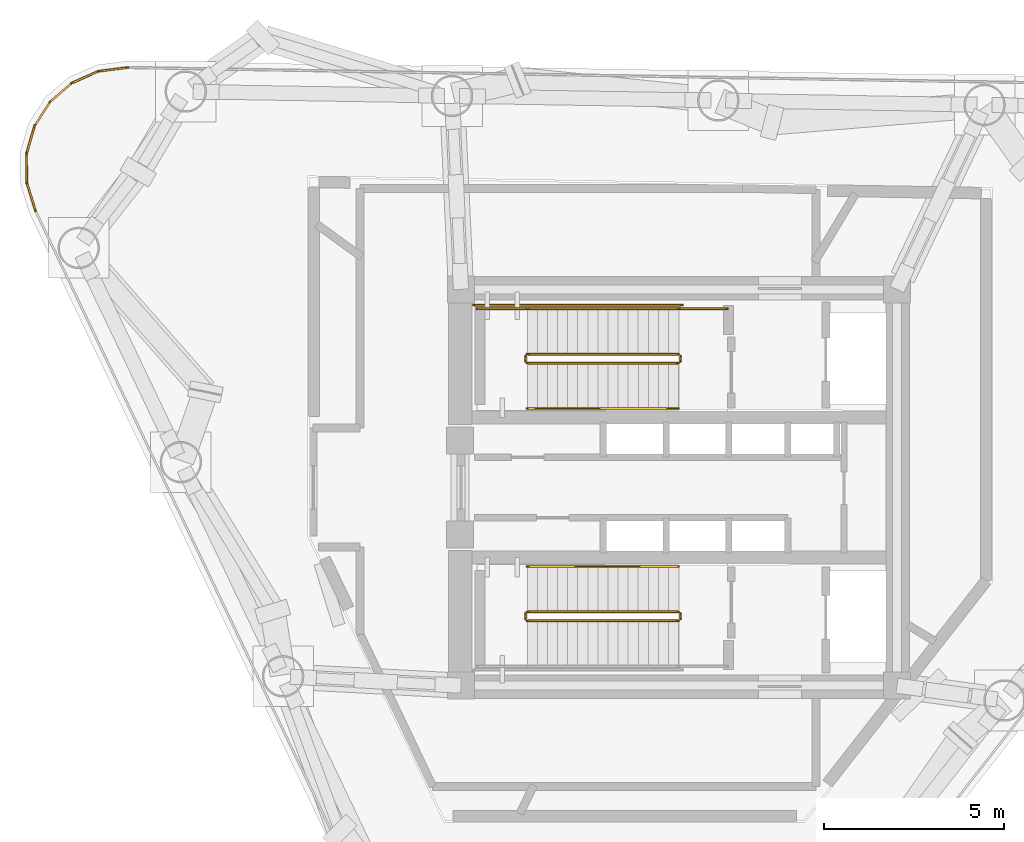
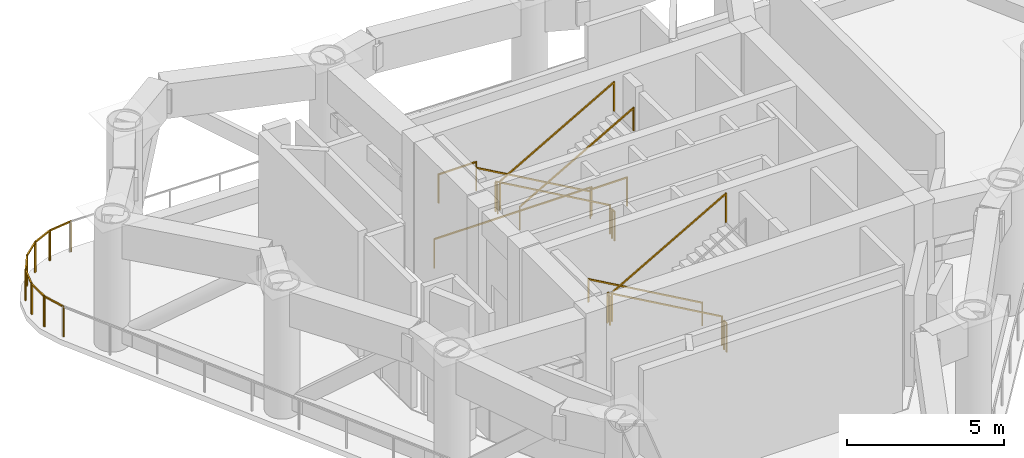
# One storey, part 7 of 8: 21 railings.
"""IFC4 building model written with IfcOpenShell, lengths in metres."""

from ifc_helpers import new_model, si_unit, direction, frame, origin, origin_2d, place, context, subcontext, project, spatial, rectangle, extrude, material, type_object, element, save


model = new_model("IFC4")

# Units and contexts
model_context = context("Model", 3, precision=1e-05, world=origin(), true_north=direction((0.0, 1.0)))
body_context = subcontext(model_context, "Body", "Model", "MODEL_VIEW")
ifc_project = project(units=[si_unit("LENGTHUNIT", "METRE"), si_unit("AREAUNIT", "SQUARE_METRE"), si_unit("VOLUMEUNIT", "CUBIC_METRE"), si_unit("PLANEANGLEUNIT", "RADIAN"), si_unit("MASSUNIT", "GRAM", prefix="KILO")], contexts=[model_context])

# Site, building, storey
site_placement = place(None, origin())
site = spatial("IfcSite", under=ifc_project, at=site_placement, CompositionType="ELEMENT")
building_placement = place(site_placement, origin())
building = spatial("IfcBuilding", under=site, at=building_placement, Name="Yunling Apex Tower", CompositionType="ELEMENT")
storey_placement = place(building_placement, frame((0.0, 0.0, 219.050048828125)))
storey = spatial("IfcBuildingStorey", under=building, at=storey_placement, Name="RF6", CompositionType="ELEMENT", Elevation=219.050048828125)

# Railings
ifc_material_1 = material(Name="Bronze anodised aluminium", Category="aluminium")
railing_type_1 = type_object("IfcRailingType", Name="RL-BAL-1200", PredefinedType="BALUSTRADE", material=ifc_material_1)
railing_1_placement = place(storey_placement, frame((-17.855712890625, 7.66845703125, 0.0)))
element("IfcRailing", 1, at=railing_1_placement, inside=storey, type_object=railing_type_1, Name="RL-REF-RF6-02", PredefinedType="BALUSTRADE", context=body_context, shape_type="SweptSolid", body=[
    extrude(rectangle(XDim=0.0439453125, YDim=0.0439453125, at=origin_2d()), origin(), (0.0, 0.0, 1.0), 1.199951171875),
    extrude(rectangle(XDim=0.0439453125, YDim=0.0439453125, at=origin_2d()), frame((-0.249267578125, 0.806640625, 0.0)), (0.0, 0.0, 1.0), 1.199951171875),
    extrude(rectangle(XDim=0.050048828125, YDim=0.050048828125, at=origin_2d()), frame((-0.01123046875, 0.03662109375, 1.1748046875), z_axis=(-0.295243881122, 0.955421922849, 0.0), x_axis=(-0.955421922849, -0.295243881122, 0.0)), (0.0, 0.0, 1.0), 0.767578125),
])
railing_2_placement = place(storey_placement, frame((-18.100341796875, 8.44580078125, 0.0)))
element("IfcRailing", 2, at=railing_2_placement, inside=storey, type_object=railing_type_1, Name="RL-REF-RF6-03", PredefinedType="BALUSTRADE", context=body_context, shape_type="SweptSolid", body=[
    extrude(rectangle(XDim=0.0439453125, YDim=0.0439453125, at=origin_2d()), origin(), (0.0, 0.0, 1.0), 1.199951171875),
    extrude(rectangle(XDim=0.0439453125, YDim=0.0439453125, at=origin_2d()), frame((-0.008056640625, 0.830810546875, 0.0)), (0.0, 0.0, 1.0), 1.199951171875),
    extrude(rectangle(XDim=0.050048828125, YDim=0.050048828125, at=origin_2d()), frame((-0.00048828125, 0.038330078125, 1.1748046875), z_axis=(-0.009696869962, 0.999952984251, 0.0), x_axis=(-0.999952984251, -0.009696869962, 0.0)), (0.0, 0.0, 1.0), 0.754150390625),
])
railing_3_placement = place(storey_placement, frame((-18.1123046875, 9.247314453125, 0.0)))
element("IfcRailing", 3, at=railing_3_placement, inside=storey, type_object=railing_type_1, Name="RL-REF-RF6-04", PredefinedType="BALUSTRADE", context=body_context, shape_type="SweptSolid", body=[
    extrude(rectangle(XDim=0.0439453125, YDim=0.0439453125, at=origin_2d()), origin(), (0.0, 0.0, 1.0), 1.199951171875),
    extrude(rectangle(XDim=0.0439453125, YDim=0.0439453125, at=origin_2d()), frame((0.230224609375, 0.79833984375, 0.0)), (0.0, 0.0, 1.0), 1.199951171875),
    extrude(rectangle(XDim=0.050048828125, YDim=0.050048828125, at=origin_2d()), frame((0.0107421875, 0.036865234375, 1.1748046875), z_axis=(0.277087617789, 0.960844655534, 0.0), x_axis=(-0.960844655534, 0.277087617789, 0.0)), (0.0, 0.0, 1.0), 0.754150390625),
])
railing_4_placement = place(storey_placement, frame((-17.894287109375, 10.0185546875, 0.0)))
element("IfcRailing", 4, at=railing_4_placement, inside=storey, type_object=railing_type_1, Name="RL-REF-RF6-05", PredefinedType="BALUSTRADE", context=body_context, shape_type="SweptSolid", body=[
    extrude(rectangle(XDim=0.0439453125, YDim=0.0439453125, at=origin_2d()), origin(), (0.0, 0.0, 1.0), 1.199951171875),
    extrude(rectangle(XDim=0.0439453125, YDim=0.0439453125, at=origin_2d()), frame((0.44921875, 0.69921875, 0.0)), (0.0, 0.0, 1.0), 1.199951171875),
    extrude(rectangle(XDim=0.050048828125, YDim=0.050048828125, at=origin_2d()), frame((0.020751953125, 0.0322265625, 1.1748046875), z_axis=(0.540520015827, 0.84133115507, 0.0), x_axis=(-0.84133115507, 0.540520015827, 0.0)), (0.0, 0.0, 1.0), 0.75439453125),
])
railing_5_placement = place(storey_placement, frame((-17.464599609375, 10.6953125, 0.0)))
element("IfcRailing", 5, at=railing_5_placement, inside=storey, type_object=railing_type_1, Name="RL-REF-RF6-06", PredefinedType="BALUSTRADE", context=body_context, shape_type="SweptSolid", body=[
    extrude(rectangle(XDim=0.0439453125, YDim=0.0439453125, at=origin_2d()), origin(), (0.0, 0.0, 1.0), 1.199951171875),
    extrude(rectangle(XDim=0.0439453125, YDim=0.0439453125, at=origin_2d()), frame((0.630615234375, 0.541015625, 0.0)), (0.0, 0.0, 1.0), 1.199951171875),
    extrude(rectangle(XDim=0.050048828125, YDim=0.050048828125, at=origin_2d()), frame((0.029052734375, 0.02490234375, 1.1748046875), z_axis=(0.758966152363, 0.651130078837, 0.0), x_axis=(-0.651130078837, 0.758966152363, 0.0)), (0.0, 0.0, 1.0), 0.754150390625),
])
railing_6_placement = place(storey_placement, frame((-16.85888671875, 11.220703125, 0.0)))
element("IfcRailing", 6, at=railing_6_placement, inside=storey, type_object=railing_type_1, Name="RL-REF-RF6-07", PredefinedType="BALUSTRADE", context=body_context, shape_type="SweptSolid", body=[
    extrude(rectangle(XDim=0.0439453125, YDim=0.0439453125, at=origin_2d()), origin(), (0.0, 0.0, 1.0), 1.199951171875),
    extrude(rectangle(XDim=0.0439453125, YDim=0.0439453125, at=origin_2d()), frame((0.759033203125, 0.337890625, 0.0)), (0.0, 0.0, 1.0), 1.199951171875),
    extrude(rectangle(XDim=0.050048828125, YDim=0.050048828125, at=origin_2d()), frame((0.034912109375, 0.015625, 1.1748046875), z_axis=(0.913569038232, 0.406683676073, 0.0), x_axis=(-0.406683676073, 0.913569038232, 0.0)), (0.0, 0.0, 1.0), 0.754150390625),
])
railing_7_placement = place(storey_placement, frame((-16.12841796875, 11.55029296875, 0.0)))
element("IfcRailing", 7, at=railing_7_placement, inside=storey, type_object=railing_type_1, Name="RL-REF-RF6-08", PredefinedType="BALUSTRADE", context=body_context, shape_type="SweptSolid", body=[
    extrude(rectangle(XDim=0.0439453125, YDim=0.0439453125, at=origin_2d()), origin(), (0.0, 0.0, 1.0), 1.199951171875),
    extrude(rectangle(XDim=0.0439453125, YDim=0.0439453125, at=origin_2d()), frame((0.837158203125, 0.108154296875, 0.0)), (0.0, 0.0, 1.0), 1.199951171875),
    extrude(rectangle(XDim=0.050048828125, YDim=0.050048828125, at=origin_2d()), frame((0.0380859375, 0.0048828125, 1.1748046875), z_axis=(0.991757723961, 0.128127346665, 0.0), x_axis=(-0.128127346665, 0.991757723961, 0.0)), (0.0, 0.0, 1.0), 0.767333984375),
])
ifc_material_2 = material(Name="Steel Q355B", Category="steel")
railing_type_2 = type_object("IfcRailingType", Name="RL-GRD-1150", PredefinedType="GUARDRAIL", material=ifc_material_2)
railing_8_placement = place(storey_placement, frame((-0.010009765625, 3.699951171875, 0.159423828125)))
element("IfcRailing", 8, at=railing_8_placement, inside=storey, type_object=railing_type_2, Name="RF6 ST-1 stair guard 1", PredefinedType="GUARDRAIL", context=body_context, shape_type="SweptSolid", body=[
    extrude(rectangle(XDim=0.0439453125, YDim=0.0439453125, at=origin_2d()), origin(), (0.0, 0.0, 1.0), 1.14990234375),
    extrude(rectangle(XDim=0.0439453125, YDim=0.0439453125, at=origin_2d()), frame((-4.199951171875, 0.0, 2.390625)), (0.0, 0.0, 1.0), 1.14990234375),
    extrude(rectangle(XDim=0.050048828125, YDim=0.050048828125, at=origin_2d()), frame((-0.033203125, 0.0, 1.143798828125), z_axis=(-0.869075089623, 0.0, 0.494680188199), x_axis=(0.0, -1.0, 0.0)), (0.0, 0.0, 1.0), 4.756103515625),
])
railing_9_placement = place(storey_placement, frame((-4.260009765625, 3.64990234375, 2.550048828125)))
element("IfcRailing", 9, at=railing_9_placement, inside=storey, type_object=railing_type_2, Name="RF6 ST-1 stair guard 2", PredefinedType="GUARDRAIL", context=body_context, shape_type="SweptSolid", body=[
    extrude(rectangle(XDim=0.0439453125, YDim=0.0439453125, at=origin_2d()), origin(), (0.0, 0.0, 1.0), 1.14990234375),
    extrude(rectangle(XDim=0.0439453125, YDim=0.0439453125, at=origin_2d()), frame((0.0, -0.14990234375, 0.0)), (0.0, 0.0, 1.0), 1.14990234375),
    extrude(rectangle(XDim=0.050048828125, YDim=0.050048828125, at=origin_2d()), frame((0.0, -0.038330078125, 1.125), z_axis=(0.0, -1.0, 0.0), x_axis=(1.0, 0.0, 0.0)), (0.0, 0.0, 1.0), 0.0732421875),
])
railing_10_placement = place(storey_placement, frame((-4.2099609375, 4.9599609375, 2.550048828125)))
element("IfcRailing", 10, at=railing_10_placement, inside=storey, type_object=railing_type_2, Name="RF6 ST-1 stair guard 3", PredefinedType="GUARDRAIL", context=body_context, shape_type="SweptSolid", body=[
    extrude(rectangle(XDim=0.0439453125, YDim=0.0439453125, at=origin_2d()), origin(), (0.0, 0.0, 1.0), 1.14990234375),
    extrude(rectangle(XDim=0.0439453125, YDim=0.0439453125, at=origin_2d()), frame((-1.39013671875, 0.0, 0.0)), (0.0, 0.0, 1.0), 1.14990234375),
    extrude(rectangle(XDim=0.050048828125, YDim=0.050048828125, at=origin_2d()), frame((-0.038330078125, 0.0, 1.125), z_axis=(-1.0, 0.0, 0.0), x_axis=(0.0, -1.0, 0.0)), (0.0, 0.0, 1.0), 1.3134765625),
])
railing_11_placement = place(storey_placement, frame((-4.2099609375, 3.449951171875, 2.709228515625)))
element("IfcRailing", 11, at=railing_11_placement, inside=storey, type_object=railing_type_2, Name="RF6 ST-1 stair guard 4", PredefinedType="GUARDRAIL", context=body_context, shape_type="SweptSolid", body=[
    extrude(rectangle(XDim=0.0439453125, YDim=0.0439453125, at=origin_2d()), origin(), (0.0, 0.0, 1.0), 1.14990234375),
    extrude(rectangle(XDim=0.0439453125, YDim=0.0439453125, at=origin_2d()), frame((4.199951171875, 0.0, 2.390625)), (0.0, 0.0, 1.0), 1.14990234375),
    extrude(rectangle(XDim=0.050048828125, YDim=0.050048828125, at=origin_2d()), frame((0.033203125, 0.0, 1.143798828125), z_axis=(0.869075089623, 0.0, 0.494680188199), x_axis=(0.0, 1.0, 0.0)), (0.0, 0.0, 1.0), 4.756103515625),
])
railing_12_placement = place(storey_placement, frame((0.0400390625, 3.64990234375, 0.0)))
element("IfcRailing", 12, at=railing_12_placement, inside=storey, type_object=railing_type_2, Name="RF6 ST-1 stair guard 5", PredefinedType="GUARDRAIL", context=body_context, shape_type="SweptSolid", body=[
    extrude(rectangle(XDim=0.0439453125, YDim=0.0439453125, at=origin_2d()), origin(), (0.0, 0.0, 1.0), 1.14990234375),
    extrude(rectangle(XDim=0.0439453125, YDim=0.0439453125, at=origin_2d()), frame((0.0, -0.14990234375, 0.0)), (0.0, 0.0, 1.0), 1.14990234375),
    extrude(rectangle(XDim=0.050048828125, YDim=0.050048828125, at=origin_2d()), frame((0.0, -0.038330078125, 1.125), z_axis=(0.0, -1.0, 0.0), x_axis=(1.0, 0.0, 0.0)), (0.0, 0.0, 1.0), 0.0732421875),
])
railing_13_placement = place(storey_placement, frame((1.35009765625, 4.9599609375, 0.0)))
element("IfcRailing", 13, at=railing_13_placement, inside=storey, type_object=railing_type_2, Name="RF6 ST-1 stair guard 6", PredefinedType="GUARDRAIL", context=body_context, shape_type="SweptSolid", body=[
    extrude(rectangle(XDim=0.0439453125, YDim=0.0439453125, at=origin_2d()), origin(), (0.0, 0.0, 1.0), 1.14990234375),
    extrude(rectangle(XDim=0.0439453125, YDim=0.0439453125, at=origin_2d()), frame((-1.360107421875, 0.0, 0.0)), (0.0, 0.0, 1.0), 1.14990234375),
    extrude(rectangle(XDim=0.050048828125, YDim=0.050048828125, at=origin_2d()), frame((-0.038330078125, 0.0, 1.125), z_axis=(-1.0, 0.0, 0.0), x_axis=(0.0, -1.0, 0.0)), (0.0, 0.0, 1.0), 1.283447265625),
])
railing_14_placement = place(storey_placement, frame((0.090087890625, 5.06005859375, 0.0)))
element("IfcRailing", 14, at=railing_14_placement, inside=storey, type_object=railing_type_2, Name="RF6 ST-1 stair guard 7", PredefinedType="GUARDRAIL", context=body_context, shape_type="SweptSolid", body=[
    extrude(rectangle(XDim=0.0439453125, YDim=0.0439453125, at=origin_2d()), origin(), (0.0, 0.0, 1.0), 1.14990234375),
    extrude(rectangle(XDim=0.0439453125, YDim=0.0439453125, at=origin_2d()), frame((-5.7900390625, 0.0, 0.0)), (0.0, 0.0, 1.0), 1.14990234375),
    extrude(rectangle(XDim=0.050048828125, YDim=0.050048828125, at=origin_2d()), frame((-0.038330078125, 0.0, 1.125), z_axis=(-1.0, 0.0, 0.0), x_axis=(0.0, -1.0, 0.0)), (0.0, 0.0, 1.0), 5.71337890625),
])
railing_15_placement = place(storey_placement, frame((-0.010009765625, -3.449951171875, 0.159423828125)))
element("IfcRailing", 15, at=railing_15_placement, inside=storey, type_object=railing_type_2, Name="RF6 ST-2 stair guard 1", PredefinedType="GUARDRAIL", context=body_context, shape_type="SweptSolid", body=[
    extrude(rectangle(XDim=0.0439453125, YDim=0.0439453125, at=origin_2d()), origin(), (0.0, 0.0, 1.0), 1.14990234375),
    extrude(rectangle(XDim=0.0439453125, YDim=0.0439453125, at=origin_2d()), frame((-4.199951171875, 0.0, 2.390625)), (0.0, 0.0, 1.0), 1.14990234375),
    extrude(rectangle(XDim=0.050048828125, YDim=0.050048828125, at=origin_2d()), frame((-0.033203125, 0.0, 1.143798828125), z_axis=(-0.869075089623, 0.0, 0.494680188199), x_axis=(0.0, -1.0, 0.0)), (0.0, 0.0, 1.0), 4.756103515625),
])
railing_16_placement = place(storey_placement, frame((-4.260009765625, -3.5, 2.550048828125)))
element("IfcRailing", 16, at=railing_16_placement, inside=storey, type_object=railing_type_2, Name="RF6 ST-2 stair guard 2", PredefinedType="GUARDRAIL", context=body_context, shape_type="SweptSolid", body=[
    extrude(rectangle(XDim=0.0439453125, YDim=0.0439453125, at=origin_2d()), origin(), (0.0, 0.0, 1.0), 1.14990234375),
    extrude(rectangle(XDim=0.0439453125, YDim=0.0439453125, at=origin_2d()), frame((0.0, -0.14990234375, 0.0)), (0.0, 0.0, 1.0), 1.14990234375),
    extrude(rectangle(XDim=0.050048828125, YDim=0.050048828125, at=origin_2d()), frame((0.0, -0.038330078125, 1.125), z_axis=(0.0, -1.0, 0.0), x_axis=(1.0, 0.0, 0.0)), (0.0, 0.0, 1.0), 0.0732421875),
])
railing_17_placement = place(storey_placement, frame((-4.2099609375, -3.699951171875, 2.709228515625)))
element("IfcRailing", 17, at=railing_17_placement, inside=storey, type_object=railing_type_2, Name="RF6 ST-2 stair guard 4", PredefinedType="GUARDRAIL", context=body_context, shape_type="SweptSolid", body=[
    extrude(rectangle(XDim=0.0439453125, YDim=0.0439453125, at=origin_2d()), origin(), (0.0, 0.0, 1.0), 1.14990234375),
    extrude(rectangle(XDim=0.0439453125, YDim=0.0439453125, at=origin_2d()), frame((4.199951171875, 0.0, 2.390625)), (0.0, 0.0, 1.0), 1.14990234375),
    extrude(rectangle(XDim=0.050048828125, YDim=0.050048828125, at=origin_2d()), frame((0.033203125, 0.0, 1.143798828125), z_axis=(0.869075089623, 0.0, 0.494680188199), x_axis=(0.0, 1.0, 0.0)), (0.0, 0.0, 1.0), 4.756103515625),
])
railing_18_placement = place(storey_placement, frame((0.0400390625, -3.5, 0.0)))
element("IfcRailing", 18, at=railing_18_placement, inside=storey, type_object=railing_type_2, Name="RF6 ST-2 stair guard 5", PredefinedType="GUARDRAIL", context=body_context, shape_type="SweptSolid", body=[
    extrude(rectangle(XDim=0.0439453125, YDim=0.0439453125, at=origin_2d()), origin(), (0.0, 0.0, 1.0), 1.14990234375),
    extrude(rectangle(XDim=0.0439453125, YDim=0.0439453125, at=origin_2d()), frame((0.0, -0.14990234375, 0.0)), (0.0, 0.0, 1.0), 1.14990234375),
    extrude(rectangle(XDim=0.050048828125, YDim=0.050048828125, at=origin_2d()), frame((0.0, -0.038330078125, 1.125), z_axis=(0.0, -1.0, 0.0), x_axis=(1.0, 0.0, 0.0)), (0.0, 0.0, 1.0), 0.0732421875),
])
ifc_material_3 = material(Name="Silver anodised aluminium", Category="aluminium")
railing_type_3 = type_object("IfcRailingType", Name="RL-HND-900", PredefinedType="HANDRAIL", material=ifc_material_3)
railing_19_placement = place(storey_placement, frame((-0.010009765625, 4.9599609375, 0.159423828125)))
element("IfcRailing", 19, at=railing_19_placement, inside=storey, type_object=railing_type_3, Name="RF6 ST-1 stair handrail 1", PredefinedType="HANDRAIL", context=body_context, shape_type="SweptSolid", body=[
    extrude(rectangle(XDim=0.0439453125, YDim=0.0439453125, at=origin_2d()), origin(), (0.0, 0.0, 1.0), 0.919921875),
    extrude(rectangle(XDim=0.0439453125, YDim=0.0439453125, at=origin_2d()), frame((-4.199951171875, 0.0, 2.390625)), (0.0, 0.0, 1.0), 0.919921875),
    extrude(rectangle(XDim=0.050048828125, YDim=0.050048828125, at=origin_2d()), frame((-0.033203125, 0.0, 0.913818359375), z_axis=(-0.869075089623, 0.0, 0.494680188199), x_axis=(0.0, -1.0, 0.0)), (0.0, 0.0, 1.0), 4.756103515625),
])
railing_20_placement = place(storey_placement, frame((-4.2099609375, 2.18994140625, 2.709228515625)))
element("IfcRailing", 20, at=railing_20_placement, inside=storey, type_object=railing_type_3, Name="RF6 ST-1 stair handrail 2", PredefinedType="HANDRAIL", context=body_context, shape_type="SweptSolid", body=[
    extrude(rectangle(XDim=0.0439453125, YDim=0.0439453125, at=origin_2d()), origin(), (0.0, 0.0, 1.0), 0.919921875),
    extrude(rectangle(XDim=0.0439453125, YDim=0.0439453125, at=origin_2d()), frame((4.199951171875, 0.0, 2.390625)), (0.0, 0.0, 1.0), 0.919921875),
    extrude(rectangle(XDim=0.050048828125, YDim=0.050048828125, at=origin_2d()), frame((0.033203125, 0.0, 0.913818359375), z_axis=(0.869075089623, 0.0, 0.494680188199), x_axis=(0.0, 1.0, 0.0)), (0.0, 0.0, 1.0), 4.756103515625),
])
railing_21_placement = place(storey_placement, frame((-0.010009765625, -2.18994140625, 0.159423828125)))
element("IfcRailing", 21, at=railing_21_placement, inside=storey, type_object=railing_type_3, Name="RF6 ST-2 stair handrail 1", PredefinedType="HANDRAIL", context=body_context, shape_type="SweptSolid", body=[
    extrude(rectangle(XDim=0.0439453125, YDim=0.0439453125, at=origin_2d()), origin(), (0.0, 0.0, 1.0), 0.919921875),
    extrude(rectangle(XDim=0.0439453125, YDim=0.0439453125, at=origin_2d()), frame((-4.199951171875, 0.0, 2.390625)), (0.0, 0.0, 1.0), 0.919921875),
    extrude(rectangle(XDim=0.050048828125, YDim=0.050048828125, at=origin_2d()), frame((-0.033203125, 0.0, 0.913818359375), z_axis=(-0.869075089623, 0.0, 0.494680188199), x_axis=(0.0, -1.0, 0.0)), (0.0, 0.0, 1.0), 4.756103515625),
])

save(model, "model.ifc")
